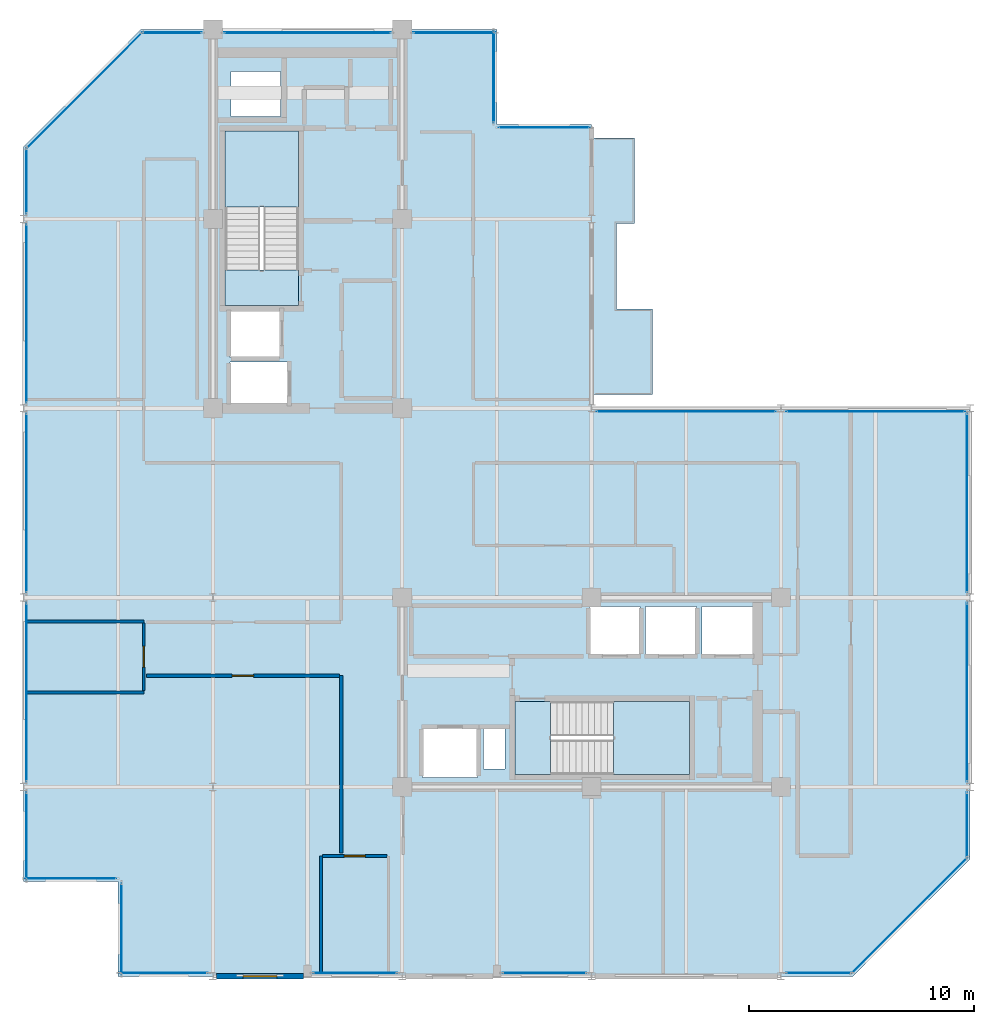
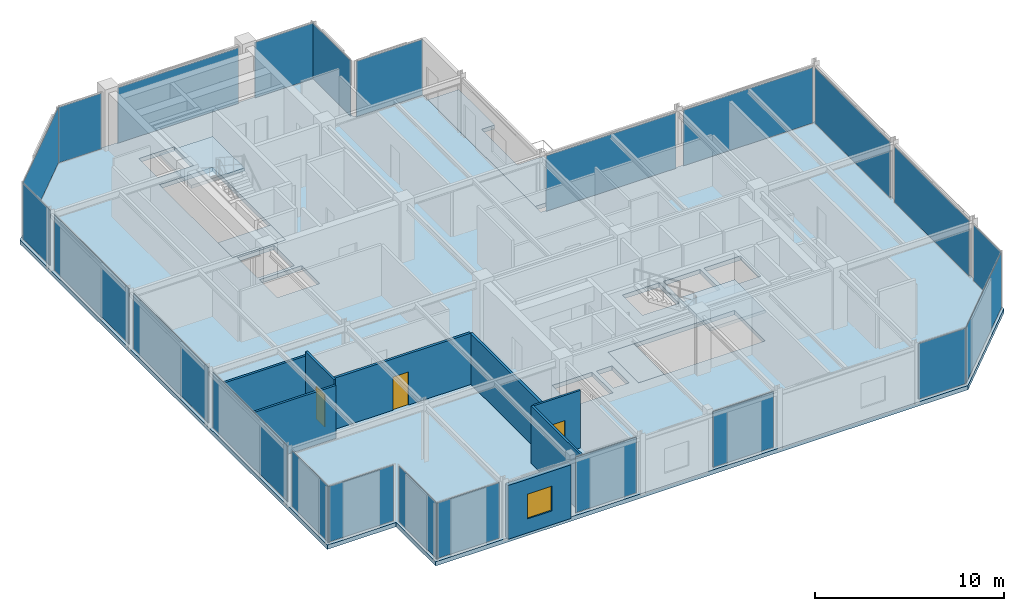
# One storey, part 20 of 26: 23 plates, 8 walls, 6 slabs, 3 doors, 1 window, 4 openings, 25 elements without a shape of their own.
"""IFC4 building model written with IfcOpenShell, lengths in metres."""

from ifc_helpers import new_model, si_unit, direction, frame, frame_2d, origin, origin_2d, place, context, subcontext, project, spatial, polyline, rectangle, outline, extrude, material, layer, layer_set, type_object, element, fill, aggregate, save


model = new_model("IFC4")

# Units and contexts
model_context = context("Model", 3, precision=1e-05, world=origin(), true_north=direction((0.0, 1.0)))
body_context = subcontext(model_context, "Body", "Model", "MODEL_VIEW")
ifc_project = project(units=[si_unit("LENGTHUNIT", "METRE"), si_unit("AREAUNIT", "SQUARE_METRE"), si_unit("VOLUMEUNIT", "CUBIC_METRE"), si_unit("PLANEANGLEUNIT", "RADIAN"), si_unit("MASSUNIT", "GRAM", prefix="KILO")], contexts=[model_context])

# Site, building, storey
site_placement = place(None, origin())
site = spatial("IfcSite", under=ifc_project, at=site_placement, CompositionType="ELEMENT")
building_placement = place(site_placement, origin())
building = spatial("IfcBuilding", under=site, at=building_placement, Name="Nerrivon Quay Data Exchange", CompositionType="ELEMENT")
storey_placement = place(building_placement, frame((0.0, 0.0, 270.199951171875)))
storey = spatial("IfcBuildingStorey", under=building, at=storey_placement, Name="L64", CompositionType="ELEMENT", Elevation=270.199951171875)

# Curtain wall, plate
ifc_material_1 = material(Name="Anodised aluminium 6063-T6", Category="aluminium")
ifc_layer_1 = layer(ifc_material_1, 0.195068359375)
ifc_layer_set_1 = layer_set([ifc_layer_1], Name="Anodised aluminium 6063-T6")
curtain_wall_type = type_object("IfcCurtainWallType", Name="CW-SYS-06", PredefinedType="NOTDEFINED", material=ifc_layer_set_1)
curtain_wall_1_placement = place(storey_placement, origin())
curtain_wall_1 = element("IfcCurtainWall", 1, at=curtain_wall_1_placement, inside=storey, type_object=curtain_wall_type, Name="L64 Unitised Curtain Wall 1", PredefinedType="NOTDEFINED")
ifc_material_2 = material(Name="Double-glazed low-E solar control glass", Category="glass")
ifc_layer_2 = layer(ifc_material_2, 0.028076171875)
ifc_layer_set_2 = layer_set([ifc_layer_2], Name="Double-glazed low-E solar control glass")
plate_type = type_object("IfcPlateType", Name="CWP-GLZ-28", PredefinedType="CURTAIN_PANEL", material=ifc_layer_set_2)
plate_1_placement = place(storey_placement, frame((39.301025390625, 2.698974609375, 0.06494140625), z_axis=(0.0, 0.0, 1.0), x_axis=(-0.707106781187, -0.707106781187, 0.0)))
plate_1 = element("IfcPlate", 2, at=plate_1_placement, type_object=plate_type, Name="CW06 panel 1.1", PredefinedType="CURTAIN_PANEL", context=body_context, shape_type="SweptSolid", body=[
    extrude(rectangle(XDim=7.203857421875, YDim=0.028076171875, at=origin_2d()), origin(), (0.0, 0.0, 1.0), 3.594970703125),
])
aggregate(curtain_wall_1, [plate_1])

curtain_wall_2_placement = place(storey_placement, origin())
curtain_wall_2 = element("IfcCurtainWall", 3, at=curtain_wall_2_placement, inside=storey, type_object=curtain_wall_type, Name="L64 Unitised Curtain Wall 2", PredefinedType="NOTDEFINED")
plate_2_placement = place(storey_placement, frame((35.27783203125, 0.139892578125, 0.06494140625), z_axis=(0.0, 0.0, 1.0), x_axis=(-1.0, 0.0, 0.0)))
plate_2 = element("IfcPlate", 4, at=plate_2_placement, type_object=plate_type, Name="CW06 panel 1.1", PredefinedType="CURTAIN_PANEL", context=body_context, shape_type="SweptSolid", body=[
    extrude(rectangle(XDim=2.89453125, YDim=0.028076171875, at=origin_2d()), origin(), (0.0, 0.0, 1.0), 3.594970703125),
])
aggregate(curtain_wall_2, [plate_2])

curtain_wall_3_placement = place(storey_placement, origin())
curtain_wall_3 = element("IfcCurtainWall", 5, at=curtain_wall_3_placement, inside=storey, type_object=curtain_wall_type, Name="L64 Unitised Curtain Wall 4", PredefinedType="NOTDEFINED")
plate_3_placement = place(storey_placement, frame((23.10986328125, 0.139892578125, 0.06494140625), z_axis=(0.0, 0.0, 1.0), x_axis=(-1.0, 0.0, 0.0)))
plate_3 = element("IfcPlate", 6, at=plate_3_placement, type_object=plate_type, Name="CW06 panel 1.1", PredefinedType="CURTAIN_PANEL", context=body_context, shape_type="SweptSolid", body=[
    extrude(rectangle(XDim=3.719482421875, YDim=0.028076171875, at=origin_2d()), origin(), (0.0, 0.0, 1.0), 3.594970703125),
])
aggregate(curtain_wall_3, [plate_3])

curtain_wall_4_placement = place(storey_placement, origin())
curtain_wall_4 = element("IfcCurtainWall", 7, at=curtain_wall_4_placement, inside=storey, type_object=curtain_wall_type, Name="L64 Unitised Curtain Wall 6", PredefinedType="NOTDEFINED")
plate_4_placement = place(storey_placement, frame((14.709716796875, 0.139892578125, 0.06494140625), z_axis=(0.0, 0.0, 1.0), x_axis=(-1.0, 0.0, 0.0)))
plate_4 = element("IfcPlate", 8, at=plate_4_placement, type_object=plate_type, Name="CW06 panel 1.1", PredefinedType="CURTAIN_PANEL", context=body_context, shape_type="SweptSolid", body=[
    extrude(rectangle(XDim=3.719482421875, YDim=0.028076171875, at=origin_2d()), origin(), (0.0, 0.0, 1.0), 3.594970703125),
])
aggregate(curtain_wall_4, [plate_4])

curtain_wall_5_placement = place(storey_placement, origin())
curtain_wall_5 = element("IfcCurtainWall", 9, at=curtain_wall_5_placement, inside=storey, type_object=curtain_wall_type, Name="L64 Unitised Curtain Wall 8", PredefinedType="NOTDEFINED")
plate_5_placement = place(storey_placement, frame((6.22216796875, 0.139892578125, 0.06494140625), z_axis=(0.0, 0.0, 1.0), x_axis=(-1.0, 0.0, 0.0)))
plate_5 = element("IfcPlate", 10, at=plate_5_placement, type_object=plate_type, Name="CW06 panel 1.1", PredefinedType="CURTAIN_PANEL", context=body_context, shape_type="SweptSolid", body=[
    extrude(rectangle(XDim=3.89453125, YDim=0.028076171875, at=origin_2d()), origin(), (0.0, 0.0, 1.0), 3.594970703125),
])
aggregate(curtain_wall_5, [plate_5])

curtain_wall_6_placement = place(storey_placement, origin())
curtain_wall_6 = element("IfcCurtainWall", 11, at=curtain_wall_6_placement, inside=storey, type_object=curtain_wall_type, Name="L64 Unitised Curtain Wall 9", PredefinedType="NOTDEFINED")
plate_6_placement = place(storey_placement, frame((4.340087890625, 2.10009765625, 0.06494140625), z_axis=(0.0, 0.0, 1.0), x_axis=(0.0, 1.0, 0.0)))
plate_6 = element("IfcPlate", 12, at=plate_6_placement, type_object=plate_type, Name="CW06 panel 1.1", PredefinedType="CURTAIN_PANEL", context=body_context, shape_type="SweptSolid", body=[
    extrude(rectangle(XDim=4.050048828125, YDim=0.028076171875, at=origin_2d()), origin(), (0.0, 0.0, 1.0), 3.594970703125),
])
aggregate(curtain_wall_6, [plate_6])

curtain_wall_7_placement = place(storey_placement, origin())
curtain_wall_7 = element("IfcCurtainWall", 13, at=curtain_wall_7_placement, inside=storey, type_object=curtain_wall_type, Name="L64 Unitised Curtain Wall 10", PredefinedType="NOTDEFINED")
plate_7_placement = place(storey_placement, frame((2.10009765625, 4.340087890625, 0.06494140625), z_axis=(0.0, 0.0, 1.0), x_axis=(-1.0, 0.0, 0.0)))
plate_7 = element("IfcPlate", 14, at=plate_7_placement, type_object=plate_type, Name="CW06 panel 1.1", PredefinedType="CURTAIN_PANEL", context=body_context, shape_type="SweptSolid", body=[
    extrude(rectangle(XDim=4.050048828125, YDim=0.028076171875, at=origin_2d()), origin(), (0.0, 0.0, 1.0), 3.594970703125),
])
aggregate(curtain_wall_7, [plate_7])

curtain_wall_8_placement = place(storey_placement, origin())
curtain_wall_8 = element("IfcCurtainWall", 15, at=curtain_wall_8_placement, inside=storey, type_object=curtain_wall_type, Name="L64 Unitised Curtain Wall 11", PredefinedType="NOTDEFINED")
plate_8_placement = place(storey_placement, frame((0.139892578125, 6.21826171875, 0.06494140625), z_axis=(0.0, 0.0, 1.0), x_axis=(0.0, 1.0, 0.0)))
plate_8 = element("IfcPlate", 16, at=plate_8_placement, type_object=plate_type, Name="CW06 panel 1.1", PredefinedType="CURTAIN_PANEL", context=body_context, shape_type="SweptSolid", body=[
    extrude(rectangle(XDim=3.886474609375, YDim=0.028076171875, at=origin_2d()), origin(), (0.0, 0.0, 1.0), 3.594970703125),
])
aggregate(curtain_wall_8, [plate_8])

curtain_wall_9_placement = place(storey_placement, origin())
curtain_wall_9 = element("IfcCurtainWall", 17, at=curtain_wall_9_placement, inside=storey, type_object=curtain_wall_type, Name="L64 Unitised Curtain Wall 12", PredefinedType="NOTDEFINED")
plate_9_placement = place(storey_placement, frame((0.139892578125, 12.60009765625, 0.06494140625), z_axis=(0.0, 0.0, 1.0), x_axis=(0.0, 1.0, 0.0)))
plate_9 = element("IfcPlate", 18, at=plate_9_placement, type_object=plate_type, Name="CW06 panel 1.1", PredefinedType="CURTAIN_PANEL", context=body_context, shape_type="SweptSolid", body=[
    extrude(rectangle(XDim=7.923095703125, YDim=0.028076171875, at=origin_2d()), origin(), (0.0, 0.0, 1.0), 3.594970703125),
])
aggregate(curtain_wall_9, [plate_9])

curtain_wall_10_placement = place(storey_placement, origin())
curtain_wall_10 = element("IfcCurtainWall", 19, at=curtain_wall_10_placement, inside=storey, type_object=curtain_wall_type, Name="L64 Unitised Curtain Wall 13", PredefinedType="NOTDEFINED")
plate_10_placement = place(storey_placement, frame((0.139892578125, 21.0, 0.06494140625), z_axis=(0.0, 0.0, 1.0), x_axis=(0.0, 1.0, 0.0)))
plate_10 = element("IfcPlate", 20, at=plate_10_placement, type_object=plate_type, Name="CW06 panel 1.1", PredefinedType="CURTAIN_PANEL", context=body_context, shape_type="SweptSolid", body=[
    extrude(rectangle(XDim=7.923095703125, YDim=0.028076171875, at=origin_2d()), origin(), (0.0, 0.0, 1.0), 3.594970703125),
])
aggregate(curtain_wall_10, [plate_10])

curtain_wall_11_placement = place(storey_placement, origin())
curtain_wall_11 = element("IfcCurtainWall", 21, at=curtain_wall_11_placement, inside=storey, type_object=curtain_wall_type, Name="L64 Unitised Curtain Wall 14", PredefinedType="NOTDEFINED")
plate_11_placement = place(storey_placement, frame((0.139892578125, 29.39990234375, 0.06494140625), z_axis=(0.0, 0.0, 1.0), x_axis=(0.0, 1.0, 0.0)))
plate_11 = element("IfcPlate", 22, at=plate_11_placement, type_object=plate_type, Name="CW06 panel 1.1", PredefinedType="CURTAIN_PANEL", context=body_context, shape_type="SweptSolid", body=[
    extrude(rectangle(XDim=7.923095703125, YDim=0.028076171875, at=origin_2d()), origin(), (0.0, 0.0, 1.0), 3.594970703125),
])
aggregate(curtain_wall_11, [plate_11])

curtain_wall_12_placement = place(storey_placement, origin())
curtain_wall_12 = element("IfcCurtainWall", 23, at=curtain_wall_12_placement, inside=storey, type_object=curtain_wall_type, Name="L64 Unitised Curtain Wall 15", PredefinedType="NOTDEFINED")
plate_12_placement = place(storey_placement, frame((0.139892578125, 35.28173828125, 0.06494140625), z_axis=(0.0, 0.0, 1.0), x_axis=(0.0, 1.0, 0.0)))
plate_12 = element("IfcPlate", 24, at=plate_12_placement, type_object=plate_type, Name="CW06 panel 1.1", PredefinedType="CURTAIN_PANEL", context=body_context, shape_type="SweptSolid", body=[
    extrude(rectangle(XDim=2.886474609375, YDim=0.028076171875, at=origin_2d()), origin(), (0.0, 0.0, 1.0), 3.594970703125),
])
aggregate(curtain_wall_12, [plate_12])

curtain_wall_13_placement = place(storey_placement, origin())
curtain_wall_13 = element("IfcCurtainWall", 25, at=curtain_wall_13_placement, inside=storey, type_object=curtain_wall_type, Name="L64 Unitised Curtain Wall 16", PredefinedType="NOTDEFINED")
plate_13_placement = place(storey_placement, frame((2.698974609375, 39.301025390625, 0.06494140625), z_axis=(0.0, 0.0, 1.0), x_axis=(0.707106781187, 0.707106781187, 0.0)))
plate_13 = element("IfcPlate", 26, at=plate_13_placement, type_object=plate_type, Name="CW06 panel 1.1", PredefinedType="CURTAIN_PANEL", context=body_context, shape_type="SweptSolid", body=[
    extrude(rectangle(XDim=7.203857421875, YDim=0.028076171875, at=origin_2d()), origin(), (0.0, 0.0, 1.0), 3.594970703125),
])
aggregate(curtain_wall_13, [plate_13])

curtain_wall_14_placement = place(storey_placement, origin())
curtain_wall_14 = element("IfcCurtainWall", 27, at=curtain_wall_14_placement, inside=storey, type_object=curtain_wall_type, Name="L64 Unitised Curtain Wall 17", PredefinedType="NOTDEFINED")
plate_14_placement = place(storey_placement, frame((6.58740234375, 41.860107421875, 0.06494140625), z_axis=(0.0, 0.0, 1.0), x_axis=(1.0, 0.0, 0.0)))
plate_14 = element("IfcPlate", 28, at=plate_14_placement, type_object=plate_type, Name="CW06 panel 1.1", PredefinedType="CURTAIN_PANEL", context=body_context, shape_type="SweptSolid", body=[
    extrude(rectangle(XDim=2.625, YDim=0.028076171875, at=origin_2d()), origin(), (0.0, 0.0, 1.0), 3.594970703125),
])
aggregate(curtain_wall_14, [plate_14])

curtain_wall_15_placement = place(storey_placement, origin())
curtain_wall_15 = element("IfcCurtainWall", 29, at=curtain_wall_15_placement, inside=storey, type_object=curtain_wall_type, Name="L64 Unitised Curtain Wall 18", PredefinedType="NOTDEFINED")
plate_15_placement = place(storey_placement, frame((12.60009765625, 41.860107421875, 0.06494140625), z_axis=(0.0, 0.0, 1.0), x_axis=(1.0, 0.0, 0.0)))
plate_15 = element("IfcPlate", 30, at=plate_15_placement, type_object=plate_type, Name="CW06 panel 1.1", PredefinedType="CURTAIN_PANEL", context=body_context, shape_type="SweptSolid", body=[
    extrude(rectangle(XDim=7.39990234375, YDim=0.028076171875, at=origin_2d()), origin(), (0.0, 0.0, 1.0), 3.594970703125),
])
aggregate(curtain_wall_15, [plate_15])

curtain_wall_16_placement = place(storey_placement, origin())
curtain_wall_16 = element("IfcCurtainWall", 31, at=curtain_wall_16_placement, inside=storey, type_object=curtain_wall_type, Name="L64 Unitised Curtain Wall 19", PredefinedType="NOTDEFINED")
plate_16_placement = place(storey_placement, frame((19.112548828125, 41.860107421875, 0.06494140625), z_axis=(0.0, 0.0, 1.0), x_axis=(1.0, 0.0, 0.0)))
plate_16 = element("IfcPlate", 32, at=plate_16_placement, type_object=plate_type, Name="CW06 panel 1.1", PredefinedType="CURTAIN_PANEL", context=body_context, shape_type="SweptSolid", body=[
    extrude(rectangle(XDim=3.625, YDim=0.028076171875, at=origin_2d()), origin(), (0.0, 0.0, 1.0), 3.594970703125),
])
aggregate(curtain_wall_16, [plate_16])

curtain_wall_17_placement = place(storey_placement, origin())
curtain_wall_17 = element("IfcCurtainWall", 33, at=curtain_wall_17_placement, inside=storey, type_object=curtain_wall_type, Name="L64 Unitised Curtain Wall 20", PredefinedType="NOTDEFINED")
plate_17_placement = place(storey_placement, frame((20.860107421875, 39.89990234375, 0.06494140625), z_axis=(0.0, 0.0, 1.0), x_axis=(0.0, -1.0, 0.0)))
plate_17 = element("IfcPlate", 34, at=plate_17_placement, type_object=plate_type, Name="CW06 panel 1.1", PredefinedType="CURTAIN_PANEL", context=body_context, shape_type="SweptSolid", body=[
    extrude(rectangle(XDim=4.050048828125, YDim=0.028076171875, at=origin_2d()), origin(), (0.0, 0.0, 1.0), 3.594970703125),
])
aggregate(curtain_wall_17, [plate_17])

curtain_wall_18_placement = place(storey_placement, origin())
curtain_wall_18 = element("IfcCurtainWall", 35, at=curtain_wall_18_placement, inside=storey, type_object=curtain_wall_type, Name="L64 Unitised Curtain Wall 21", PredefinedType="NOTDEFINED")
plate_18_placement = place(storey_placement, frame((23.10009765625, 37.659912109375, 0.06494140625), z_axis=(0.0, 0.0, 1.0), x_axis=(1.0, 0.0, 0.0)))
plate_18 = element("IfcPlate", 36, at=plate_18_placement, type_object=plate_type, Name="CW06 panel 1.1", PredefinedType="CURTAIN_PANEL", context=body_context, shape_type="SweptSolid", body=[
    extrude(rectangle(XDim=4.050048828125, YDim=0.028076171875, at=origin_2d()), origin(), (0.0, 0.0, 1.0), 3.594970703125),
])
aggregate(curtain_wall_18, [plate_18])

curtain_wall_19_placement = place(storey_placement, origin())
curtain_wall_19 = element("IfcCurtainWall", 37, at=curtain_wall_19_placement, inside=storey, type_object=curtain_wall_type, Name="L64 Unitised Curtain Wall 24", PredefinedType="NOTDEFINED")
plate_19_placement = place(storey_placement, frame((29.39990234375, 25.06005859375, 0.06494140625), z_axis=(0.0, 0.0, 1.0), x_axis=(1.0, 0.0, 0.0)))
plate_19 = element("IfcPlate", 38, at=plate_19_placement, type_object=plate_type, Name="CW06 panel 1.1", PredefinedType="CURTAIN_PANEL", context=body_context, shape_type="SweptSolid", body=[
    extrude(rectangle(XDim=7.93896484375, YDim=0.028076171875, at=origin_2d()), origin(), (0.0, 0.0, 1.0), 3.594970703125),
])
aggregate(curtain_wall_19, [plate_19])

curtain_wall_20_placement = place(storey_placement, origin())
curtain_wall_20 = element("IfcCurtainWall", 39, at=curtain_wall_20_placement, inside=storey, type_object=curtain_wall_type, Name="L64 Unitised Curtain Wall 25", PredefinedType="NOTDEFINED")
plate_20_placement = place(storey_placement, frame((37.800048828125, 25.06005859375, 0.06494140625), z_axis=(0.0, 0.0, 1.0), x_axis=(1.0, 0.0, 0.0)))
plate_20 = element("IfcPlate", 40, at=plate_20_placement, type_object=plate_type, Name="CW06 panel 1.1", PredefinedType="CURTAIN_PANEL", context=body_context, shape_type="SweptSolid", body=[
    extrude(rectangle(XDim=7.93896484375, YDim=0.028076171875, at=origin_2d()), origin(), (0.0, 0.0, 1.0), 3.594970703125),
])
aggregate(curtain_wall_20, [plate_20])

curtain_wall_21_placement = place(storey_placement, origin())
curtain_wall_21 = element("IfcCurtainWall", 41, at=curtain_wall_21_placement, inside=storey, type_object=curtain_wall_type, Name="L64 Unitised Curtain Wall 26", PredefinedType="NOTDEFINED")
plate_21_placement = place(storey_placement, frame((41.860107421875, 21.0, 0.06494140625), z_axis=(0.0, 0.0, 1.0), x_axis=(0.0, -1.0, 0.0)))
plate_21 = element("IfcPlate", 42, at=plate_21_placement, type_object=plate_type, Name="CW06 panel 1.1", PredefinedType="CURTAIN_PANEL", context=body_context, shape_type="SweptSolid", body=[
    extrude(rectangle(XDim=7.923095703125, YDim=0.028076171875, at=origin_2d()), origin(), (0.0, 0.0, 1.0), 3.594970703125),
])
aggregate(curtain_wall_21, [plate_21])

curtain_wall_22_placement = place(storey_placement, origin())
curtain_wall_22 = element("IfcCurtainWall", 43, at=curtain_wall_22_placement, inside=storey, type_object=curtain_wall_type, Name="L64 Unitised Curtain Wall 27", PredefinedType="NOTDEFINED")
plate_22_placement = place(storey_placement, frame((41.860107421875, 12.60009765625, 0.06494140625), z_axis=(0.0, 0.0, 1.0), x_axis=(0.0, -1.0, 0.0)))
plate_22 = element("IfcPlate", 44, at=plate_22_placement, type_object=plate_type, Name="CW06 panel 1.1", PredefinedType="CURTAIN_PANEL", context=body_context, shape_type="SweptSolid", body=[
    extrude(rectangle(XDim=7.923095703125, YDim=0.028076171875, at=origin_2d()), origin(), (0.0, 0.0, 1.0), 3.594970703125),
])
aggregate(curtain_wall_22, [plate_22])

curtain_wall_23_placement = place(storey_placement, origin())
curtain_wall_23 = element("IfcCurtainWall", 45, at=curtain_wall_23_placement, inside=storey, type_object=curtain_wall_type, Name="L64 Unitised Curtain Wall 28", PredefinedType="NOTDEFINED")
plate_23_placement = place(storey_placement, frame((41.860107421875, 6.71826171875, 0.06494140625), z_axis=(0.0, 0.0, 1.0), x_axis=(0.0, -1.0, 0.0)))
plate_23 = element("IfcPlate", 46, at=plate_23_placement, type_object=plate_type, Name="CW06 panel 1.1", PredefinedType="CURTAIN_PANEL", context=body_context, shape_type="SweptSolid", body=[
    extrude(rectangle(XDim=2.886474609375, YDim=0.028076171875, at=origin_2d()), origin(), (0.0, 0.0, 1.0), 3.594970703125),
])
aggregate(curtain_wall_23, [plate_23])

# Slab
ifc_material_3 = material(Name="Precast white architectural concrete N50 (50 MPa)", Category="concrete")
ifc_layer_3 = layer(ifc_material_3, 0.25)
ifc_layer_set_3 = layer_set([ifc_layer_3], Name="Precast white architectural concrete N50 (50 MPa)")
slab_type_1 = type_object("IfcSlabType", Name="SLB-BAL-250", PredefinedType="FLOOR", material=ifc_layer_set_3)
slab_1_placement = place(storey_placement, frame((0.0, 0.0, -0.25)))
element("IfcSlab", 47, at=slab_1_placement, inside=storey, type_object=slab_type_1, Name="L64 Waterfront Subtropical Verandah", PredefinedType="FLOOR", context=body_context, shape_type="SweptSolid", body=[
    extrude(outline(polyline([(26.300048828125, 29.60009765625), (26.300048828125, 33.39990234375), (27.10009765625, 33.39990234375), (27.10009765625, 37.199951171875), (25.199951171875, 37.199951171875), (25.199951171875, 33.39990234375), (25.199951171875, 29.60009765625), (25.199951171875, 25.800048828125), (27.89990234375, 25.800048828125), (27.89990234375, 29.60009765625), (26.300048828125, 29.60009765625)])), origin(), (0.0, 0.0, 1.0), 0.25),
])

# Stair, slab
ifc_material_4 = material(Name="Concrete N50 (50 MPa)", Category="concrete")
stair_type = type_object("IfcStairType", Name="STAIR-DOG-40", PredefinedType="HALF_TURN_STAIR", material=ifc_material_4)
stair_1_placement = place(storey_placement, origin())
stair_1 = element("IfcStair", 48, at=stair_1_placement, inside=storey, type_object=stair_type, Name="L64 West Core Fire Stair ST01", PredefinedType="HALF_TURN_STAIR")
ifc_layer_4 = layer(ifc_material_4, 0.199951171875)
ifc_layer_set_4 = layer_set([ifc_layer_4], Name="Concrete N50 (50 MPa)")
slab_type_2 = type_object("IfcSlabType", Name="SLB-LAND-200", PredefinedType="LANDING", material=ifc_layer_set_4)
slab_2_placement = place(storey_placement, frame((0.0, 0.0, 1.800048828125)))
slab_2 = element("IfcSlab", 49, at=slab_2_placement, type_object=slab_type_2, Name="ST01 landing 1", PredefinedType="LANDING", context=body_context, shape_type="SweptSolid", body=[
    extrude(outline(polyline([(12.199951171875, 34.1298828125), (12.199951171875, 37.5), (8.949951171875, 37.5), (8.949951171875, 34.1298828125), (12.199951171875, 34.1298828125)])), origin(), (0.0, 0.0, 1.0), 0.199951171875),
])
aggregate(stair_1, [slab_2])

# Slab
slab_3_placement = place(storey_placement, frame((0.0, 0.0, -0.199951171875)))
element("IfcSlab", 50, at=slab_3_placement, inside=storey, type_object=slab_type_2, Name="L64 ST01 floor landing", PredefinedType="LANDING", context=body_context, shape_type="SweptSolid", body=[
    extrude(outline(polyline([(12.199951171875, 29.75), (12.199951171875, 31.330078125), (8.949951171875, 31.330078125), (8.949951171875, 29.75), (12.199951171875, 29.75)])), origin(), (0.0, 0.0, 1.0), 0.199951171875),
])

# Stair, slab
stair_2_placement = place(storey_placement, origin())
stair_2 = element("IfcStair", 51, at=stair_2_placement, inside=storey, type_object=stair_type, Name="L64 East Core Fire Stair ST02", PredefinedType="HALF_TURN_STAIR")
slab_4_placement = place(storey_placement, frame((0.0, 0.0, 1.800048828125)))
slab_4 = element("IfcSlab", 52, at=slab_4_placement, type_object=slab_type_2, Name="ST02 landing 1", PredefinedType="LANDING", context=body_context, shape_type="SweptSolid", body=[
    extrude(outline(polyline([(26.179931640625, 8.949951171875), (29.550048828125, 8.949951171875), (29.550048828125, 12.199951171875), (26.179931640625, 12.199951171875), (26.179931640625, 8.949951171875)])), origin(), (0.0, 0.0, 1.0), 0.199951171875),
])
aggregate(stair_2, [slab_4])

# Slabs
slab_5_placement = place(storey_placement, frame((0.0, 0.0, -0.199951171875)))
element("IfcSlab", 53, at=slab_5_placement, inside=storey, type_object=slab_type_2, Name="L64 ST02 floor landing", PredefinedType="LANDING", context=body_context, shape_type="SweptSolid", body=[
    extrude(outline(polyline([(21.800048828125, 8.949951171875), (23.3798828125, 8.949951171875), (23.3798828125, 12.199951171875), (21.800048828125, 12.199951171875), (21.800048828125, 8.949951171875)])), origin(), (0.0, 0.0, 1.0), 0.199951171875),
])
ifc_layer_5 = layer(ifc_material_4, 0.27490234375)
ifc_layer_set_5 = layer_set([ifc_layer_5], Name="Concrete N50 (50 MPa)")
slab_type_3 = type_object("IfcSlabType", Name="SLB-TOW-275", PredefinedType="FLOOR", material=ifc_layer_set_5)
slab_6_placement = place(storey_placement, frame((0.0, 0.0, -0.27490234375)))
element("IfcSlab", 54, at=slab_6_placement, inside=storey, type_object=slab_type_3, Name="L64 Primary Structural Slab", PredefinedType="FLOOR", context=body_context, shape_type="SweptSolid", body=[
    extrude(outline(polyline([(42.0, 25.199951171875), (25.199951171875, 25.199951171875), (25.199951171875, 37.800048828125), (21.0, 37.800048828125), (21.0, 42.0), (5.199951171875, 42.0), (0.0, 36.800048828125), (0.0, 4.199951171875), (4.199951171875, 4.199951171875), (4.199951171875, 0.0), (36.800048828125, 0.0), (42.0, 5.199951171875), (42.0, 25.199951171875)]), holes=[polyline([(8.949951171875, 29.75), (8.949951171875, 37.5), (12.199951171875, 37.5), (12.199951171875, 29.75), (8.949951171875, 29.75)]), polyline([(21.800048828125, 12.199951171875), (29.550048828125, 12.199951171875), (29.550048828125, 8.949951171875), (21.800048828125, 8.949951171875), (21.800048828125, 12.199951171875)]), polyline([(30.10009765625, 14.25), (30.10009765625, 16.39990234375), (32.35009765625, 16.39990234375), (32.35009765625, 14.25), (30.10009765625, 14.25)]), polyline([(27.60009765625, 14.25), (27.60009765625, 16.39990234375), (29.85009765625, 16.39990234375), (29.85009765625, 14.25), (27.60009765625, 14.25)]), polyline([(25.10009765625, 14.25), (25.10009765625, 16.39990234375), (27.35009765625, 16.39990234375), (27.35009765625, 14.25), (25.10009765625, 14.25)]), polyline([(20.39990234375, 9.199951171875), (20.39990234375, 11.0), (21.35009765625, 11.0), (21.35009765625, 9.199951171875), (20.39990234375, 9.199951171875)]), polyline([(17.699951171875, 8.830078125), (17.699951171875, 11.030029296875), (20.14990234375, 11.030029296875), (20.14990234375, 8.830078125), (17.699951171875, 8.830078125)]), polyline([(9.14990234375, 25.35009765625), (9.14990234375, 27.25), (11.75, 27.25), (11.75, 25.35009765625), (9.14990234375, 25.35009765625)]), polyline([(9.14990234375, 27.449951171875), (9.14990234375, 29.60009765625), (11.39990234375, 29.60009765625), (11.39990234375, 27.449951171875), (9.14990234375, 27.449951171875)]), polyline([(9.199951171875, 38.14990234375), (9.199951171875, 40.14990234375), (11.39990234375, 40.14990234375), (11.39990234375, 38.14990234375), (9.199951171875, 38.14990234375)])]), origin(), (0.0, 0.0, 1.0), 0.27490234375),
])

# Wall, opening, window
ifc_material_5 = material(Name="Architectural terracotta precast concrete N50 (50 MPa)", Category="masonry")
ifc_layer_6 = layer(ifc_material_5, 0.239990234375)
ifc_layer_set_6 = layer_set([ifc_layer_6], Name="Architectural terracotta precast concrete N50 (50 MPa)")
wall_type_1 = type_object("IfcWallType", Name="EW-PREC-240", PredefinedType="STANDARD", material=ifc_layer_set_6)
wall_1_placement = place(storey_placement, frame((12.425048828125, 0.0, 0.0), z_axis=(0.0, 0.0, 1.0), x_axis=(-1.0, 0.0, 0.0)))
wall_1 = element("IfcWall", 55, at=wall_1_placement, inside=storey, type_object=wall_type_1, Name="L64 Podium Precast Spandrel Wall 7", PredefinedType="STANDARD", context=body_context, shape_type="SweptSolid", body=[
    extrude(rectangle(XDim=3.86962890625, YDim=0.239990234375, at=frame_2d((1.934814453125, 0.0))), origin(), (0.0, 0.0, 1.0), 3.47509765625),
])
opening_1_placement = place(wall_1_placement, frame((1.184814453125, 0.0, 0.89990234375)))
opening_1 = element("IfcOpeningElement", 56, at=opening_1_placement, cuts=wall_1, Name="Opening WN4", PredefinedType="OPENING", context=body_context, shape_type="SweptSolid", body=[
    extrude(rectangle(XDim=1.5, YDim=1.60009765625, at=frame_2d((0.75, 0.800048828125))), frame((0.0, 0.1298828125, 0.0), z_axis=(0.0, -1.0, 0.0), x_axis=(1.0, 0.0, 0.0)), (0.0, 0.0, 1.0), 0.260009765625),
])
window_type = type_object("IfcWindowType", Name="WIN-W4-1500x1600", PartitioningType="SINGLE_PANEL", PredefinedType="WINDOW", material=ifc_material_2)
window_placement = place(opening_1_placement, origin())
window = element("IfcWindow", 57, at=window_placement, inside=storey, type_object=window_type, Name="L64 Solar Facade Window 7", OverallHeight=1.60009765625, OverallWidth=1.5, PartitioningType="SINGLE_PANEL", PredefinedType="WINDOW", context=body_context, shape_type="SweptSolid", body=[
    extrude(rectangle(XDim=1.5, YDim=1.60009765625, at=frame_2d((0.75, 0.800048828125))), frame((0.0, 0.030029296875, 0.0), z_axis=(0.0, -1.0, 0.0), x_axis=(1.0, 0.0, 0.0)), (0.0, 0.0, 1.0), 0.06005859375),
])
fill(opening_1, window)

# Wall, opening, door
ifc_material_6 = material(Name="Gypsum plasterboard on cold-formed framing", Category="gypsum")
ifc_layer_7 = layer(ifc_material_6, 0.1201171875)
ifc_layer_set_7 = layer_set([ifc_layer_7], Name="Gypsum plasterboard on cold-formed framing")
wall_type_2 = type_object("IfcWallType", Name="WALL-PT-120", PredefinedType="PARTITIONING", material=ifc_layer_set_7)
wall_2_placement = place(storey_placement, frame((5.340087890625, 12.67138671875, 0.0), z_axis=(0.0, 0.0, 1.0), x_axis=(0.0, 1.0, 0.0)))
wall_2 = element("IfcWall", 58, at=wall_2_placement, inside=storey, type_object=wall_type_2, Name="L64 Partition Accessible Toilet", PredefinedType="PARTITIONING", context=body_context, shape_type="SweptSolid", body=[
    extrude(rectangle(XDim=3.007080078125, YDim=0.1201171875, at=frame_2d((1.50341796875, 0.0))), origin(), (0.0, 0.0, 1.0), 3.72509765625),
])
opening_2_placement = place(wall_2_placement, frame((1.04345703125, 0.0, 0.0)))
opening_2 = element("IfcOpeningElement", 59, at=opening_2_placement, cuts=wall_2, Name="Opening D-WC", PredefinedType="OPENING", context=body_context, shape_type="SweptSolid", body=[
    extrude(rectangle(XDim=0.919921875, YDim=2.10009765625, at=frame_2d((0.4599609375, 1.050048828125))), frame((0.0, 0.070068359375, 0.0), z_axis=(0.0, -1.0, 0.0), x_axis=(1.0, 0.0, 0.0)), (0.0, 0.0, 1.0), 0.14013671875),
])
ifc_material_7 = material(Name="Engineered hardwood timber", Category="wood")
door_type_1 = type_object("IfcDoorType", Name="DR-WC-920", OperationType="NOTDEFINED", PredefinedType="DOOR", material=ifc_material_7)
door_1_placement = place(opening_2_placement, origin())
door_1 = element("IfcDoor", 60, at=door_1_placement, inside=storey, type_object=door_type_1, Name="L64 Door Accessible Toilet", OperationType="SINGLE_SWING_RIGHT", OverallHeight=2.10009765625, OverallWidth=0.919921875, PredefinedType="DOOR", context=body_context, shape_type="SweptSolid", body=[
    extrude(rectangle(XDim=0.919921875, YDim=2.10009765625, at=frame_2d((0.4599609375, 1.050048828125))), frame((0.0, 0.02490234375, 0.0), z_axis=(0.0, -1.0, 0.0), x_axis=(1.0, 0.0, 0.0)), (0.0, 0.0, 1.0), 0.050048828125),
])
fill(opening_2, door_1)

wall_3_placement = place(storey_placement, frame((16.12841796875, 5.340087890625, 0.0), z_axis=(0.0, 0.0, 1.0), x_axis=(-1.0, 0.0, 0.0)))
wall_3 = element("IfcWall", 61, at=wall_3_placement, inside=storey, type_object=wall_type_2, Name="L64 Partition Public Washrooms", PredefinedType="PARTITIONING", context=body_context, shape_type="SweptSolid", body=[
    extrude(rectangle(XDim=2.85693359375, YDim=0.1201171875, at=frame_2d((1.428466796875, 0.0))), origin(), (0.0, 0.0, 1.0), 3.72509765625),
])
opening_3_placement = place(wall_3_placement, frame((0.968505859375, 0.0, 0.0)))
opening_3 = element("IfcOpeningElement", 62, at=opening_3_placement, cuts=wall_3, Name="Opening D-WC", PredefinedType="OPENING", context=body_context, shape_type="SweptSolid", body=[
    extrude(rectangle(XDim=0.919921875, YDim=2.10009765625, at=frame_2d((0.4599609375, 1.050048828125))), frame((0.0, 0.070068359375, 0.0), z_axis=(0.0, -1.0, 0.0), x_axis=(1.0, 0.0, 0.0)), (0.0, 0.0, 1.0), 0.14013671875),
])
door_2_placement = place(opening_3_placement, origin())
door_2 = element("IfcDoor", 63, at=door_2_placement, inside=storey, type_object=door_type_1, Name="L64 Door Public Washrooms", OperationType="SINGLE_SWING_LEFT", OverallHeight=2.10009765625, OverallWidth=0.919921875, PredefinedType="DOOR", context=body_context, shape_type="SweptSolid", body=[
    extrude(rectangle(XDim=0.919921875, YDim=2.10009765625, at=frame_2d((0.4599609375, 1.050048828125))), frame((0.0, 0.02490234375, 0.0), z_axis=(0.0, -1.0, 0.0), x_axis=(1.0, 0.0, 0.0)), (0.0, 0.0, 1.0), 0.050048828125),
])
fill(opening_3, door_2)

# Walls
ifc_layer_8 = layer(ifc_material_6, 0.135009765625)
ifc_layer_set_8 = layer_set([ifc_layer_8], Name="Gypsum plasterboard on cold-formed framing")
wall_type_3 = type_object("IfcWallType", Name="WALL-PT-135", PredefinedType="PARTITIONING", material=ifc_layer_set_8)
for number, where, z_axis, x_axis, name in (
    (64, (5.340087890625, 15.75, 0.0), (0.0, 0.0, 1.0), (-1.0, 0.0, 0.0), "L64 Partition Accessible Toilet"),
    (65, (0.1689453125, 12.60009765625, 0.0), (0.0, 0.0, 1.0), (1.0, 0.0, 0.0), "L64 Partition Accessible Toilet"),
):
    element("IfcWall", number, at=place(storey_placement, frame(where, z_axis=z_axis, x_axis=x_axis)), inside=storey, type_object=wall_type_3, Name=name, PredefinedType="PARTITIONING", context=body_context, shape_type="SweptSolid", body=[
        extrude(rectangle(XDim=5.171142578125, YDim=0.135009765625, at=frame_2d((2.58544921875, 0.0))), origin(), (0.0, 0.0, 1.0), 3.421142578125),
    ])
wall_4_placement = place(storey_placement, frame((13.199951171875, 5.340087890625, 0.0), z_axis=(0.0, 0.0, 1.0), x_axis=(0.0, -1.0, 0.0)))
element("IfcWall", 66, at=wall_4_placement, inside=storey, type_object=wall_type_3, Name="L64 Partition Public Washrooms", PredefinedType="PARTITIONING", context=body_context, shape_type="SweptSolid", body=[
    extrude(rectangle(XDim=5.171142578125, YDim=0.135009765625, at=frame_2d((2.58544921875, 0.0))), origin(), (0.0, 0.0, 1.0), 3.72509765625),
])
ifc_layer_9 = layer(ifc_material_6, 0.14990234375)
ifc_layer_set_9 = layer_set([ifc_layer_9], Name="Gypsum plasterboard on cold-formed framing")
wall_type_4 = type_object("IfcWallType", Name="WALL-PT-150", PredefinedType="PARTITIONING", material=ifc_layer_set_9)
wall_5_placement = place(storey_placement, frame((14.090087890625, 5.4599609375, 0.0), z_axis=(0.0, 0.0, 1.0), x_axis=(0.0, 1.0, 0.0)))
element("IfcWall", 67, at=wall_5_placement, inside=storey, type_object=wall_type_4, Name="L64 Partition Peering Day Lounge", PredefinedType="PARTITIONING", context=body_context, shape_type="SweptSolid", body=[
    extrude(rectangle(XDim=7.880126953125, YDim=0.14990234375, at=frame_2d((3.93994140625, 0.0))), origin(), (0.0, 0.0, 1.0), 3.27099609375),
])

# Wall, opening, door
wall_6_placement = place(storey_placement, frame((14.010986328125, 13.340087890625, 0.0), z_axis=(0.0, 0.0, 1.0), x_axis=(-1.0, 0.0, 0.0)))
wall_6 = element("IfcWall", 68, at=wall_6_placement, inside=storey, type_object=wall_type_4, Name="L64 Partition Peering Day Lounge", PredefinedType="PARTITIONING", context=body_context, shape_type="SweptSolid", body=[
    extrude(rectangle(XDim=8.551025390625, YDim=0.14990234375, at=frame_2d((4.275390625, 0.0))), origin(), (0.0, 0.0, 1.0), 3.319091796875),
])
opening_4_placement = place(wall_6_placement, frame((3.800537109375, 0.0, 0.0)))
opening_4 = element("IfcOpeningElement", 69, at=opening_4_placement, cuts=wall_6, Name="Opening D-01", PredefinedType="OPENING", context=body_context, shape_type="SweptSolid", body=[
    extrude(rectangle(XDim=0.949951171875, YDim=2.14990234375, at=frame_2d((0.47509765625, 1.074951171875))), frame((0.0, 0.0849609375, 0.0), z_axis=(0.0, -1.0, 0.0), x_axis=(1.0, 0.0, 0.0)), (0.0, 0.0, 1.0), 0.169921875),
])
door_type_2 = type_object("IfcDoorType", Name="DR-INT-950", OperationType="NOTDEFINED", PredefinedType="DOOR", material=ifc_material_7)
door_3_placement = place(opening_4_placement, origin())
door_3 = element("IfcDoor", 70, at=door_3_placement, inside=storey, type_object=door_type_2, Name="L64 Door Peering Day Lounge", OperationType="SINGLE_SWING_RIGHT", OverallHeight=2.14990234375, OverallWidth=0.949951171875, PredefinedType="DOOR", context=body_context, shape_type="SweptSolid", body=[
    extrude(rectangle(XDim=0.949951171875, YDim=2.14990234375, at=frame_2d((0.47509765625, 1.074951171875))), frame((0.0, 0.02490234375, 0.0), z_axis=(0.0, -1.0, 0.0), x_axis=(1.0, 0.0, 0.0)), (0.0, 0.0, 1.0), 0.050048828125),
])
fill(opening_4, door_3)

save(model, "model.ifc")
